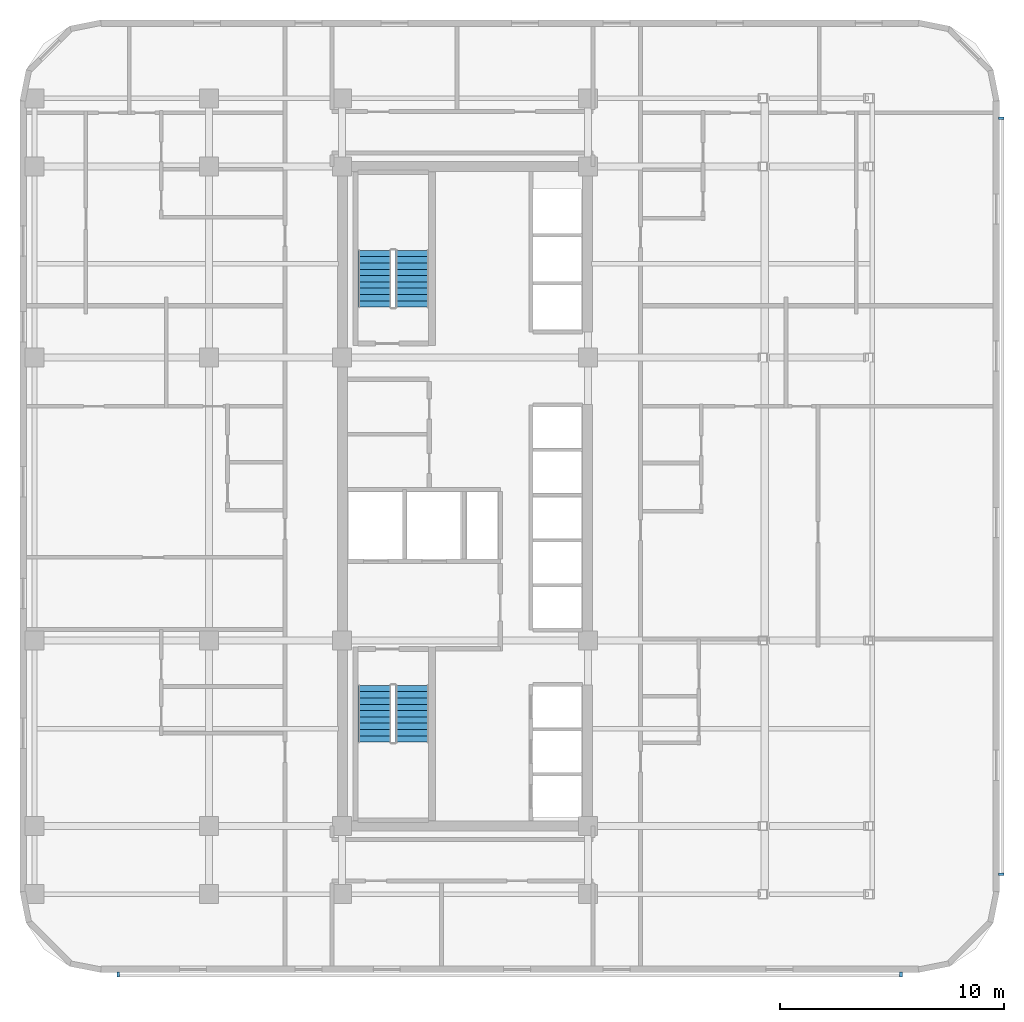
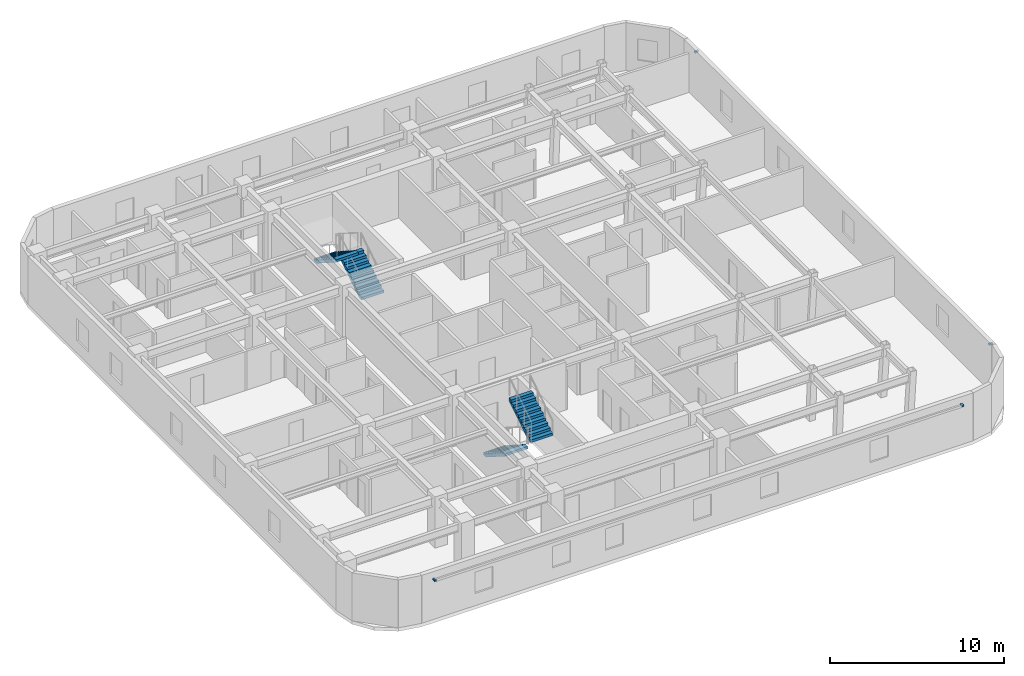
# One storey, part 7 of 11: 4 discrete accessories, 4 stair flights, 2 elements without a shape of their own.
"""IFC4 building model written with IfcOpenShell, lengths in metres."""

import ifcopenshell
import ifcopenshell.guid

model = None  # the IFC model being written
_history = None  # IfcOwnerHistory: only IFC2X3 demands one
_inside = {}  # id of a spatial element -> (the spatial element, [elements in it])
_under = {}  # id of a project, library or spatial element -> (it, [spatial elements below it])
_declared = {}  # id of a project -> (the project, [libraries it declares])
_typed = {}  # id of a type object -> (the type object, [elements of that type])
_made_of = {}  # id of a material, layer set ... -> (it, [elements and type objects made of it])


def new_model(schema):
    """Start an empty IFC model of exactly this schema.

    Asked for "IFC4X3", IfcOpenShell would pick the latest addendum, in which some entities
    have other attributes; the version numbers below select the first issue.
    IFC2X3 requires an IfcOwnerHistory on every rooted entity: one is made here for all.
    """
    global model, _history
    if schema == "IFC4X3":
        model = ifcopenshell.file(schema_version=(4, 3, 0, 0))
    else:
        model = ifcopenshell.file(schema=schema)
    _inside.clear()
    _under.clear()
    _declared.clear()
    _typed.clear()
    _made_of.clear()
    _history = None
    if model.schema == "IFC2X3":
        org = make("IfcOrganization", Name="unknown")
        user = make(
            "IfcPersonAndOrganization",
            ThePerson=make("IfcPerson", FamilyName="unknown"),
            TheOrganization=org,
        )
        app = make(
            "IfcApplication",
            ApplicationDeveloper=org,
            Version="unknown",
            ApplicationFullName="unknown",
            ApplicationIdentifier="unknown",
        )
        _history = make(
            "IfcOwnerHistory",
            OwningUser=user,
            OwningApplication=app,
            ChangeAction="ADDED",
            CreationDate=0,
        )
    return model


def make(cls, **values):
    """One entity of the class cls with the attributes given. An attribute that is None is left unset."""
    return model.create_entity(
        cls, **{name: value for name, value in values.items() if value is not None}
    )


def rooted(cls, **values):
    """An entity with a GlobalId (a new one), such as an element, a storey or a relation."""
    return make(cls, GlobalId=ifcopenshell.guid.new(), OwnerHistory=_history, **values)


def si_unit(unit_type, name, prefix=None):
    """IfcSIUnit, for example si_unit("LENGTHUNIT", "METRE", prefix="MILLI")."""
    return make("IfcSIUnit", UnitType=unit_type, Prefix=prefix, Name=name)


def assignment(units):
    """IfcUnitAssignment: the units of a project."""
    return None if units is None else make("IfcUnitAssignment", Units=units)


def point(xyz):
    """IfcCartesianPoint."""
    return None if xyz is None else make("IfcCartesianPoint", Coordinates=xyz)


def direction(xyz):
    """IfcDirection."""
    return None if xyz is None else make("IfcDirection", DirectionRatios=xyz)


def frame(location, z_axis=None, x_axis=None):
    """IfcAxis2Placement3D, a coordinate frame: its origin and axes. An axis left out is left unset."""
    return make(
        "IfcAxis2Placement3D",
        Location=point(location),
        Axis=direction(z_axis),
        RefDirection=direction(x_axis),
    )


def frame_2d(location, x_axis=None):
    """IfcAxis2Placement2D, a coordinate frame in the plane: its origin and x axis."""
    return make(
        "IfcAxis2Placement2D", Location=point(location), RefDirection=direction(x_axis)
    )


def origin():
    """The frame at (0, 0, 0) with its axes left unset."""
    return frame((0.0, 0.0, 0.0))


def origin_2d():
    """The frame at (0, 0) in the plane with its x axis left unset."""
    return frame_2d((0.0, 0.0))


def place(relative_to, where):
    """IfcLocalPlacement: puts the frame where relative to a parent placement (None: the world)."""
    return make(
        "IfcLocalPlacement", PlacementRelTo=relative_to, RelativePlacement=where
    )


def context(
    kind, dimensions, precision=None, world=None, true_north=None, identifier=None
):
    """IfcGeometricRepresentationContext, for example the 3D "Model" context."""
    return make(
        "IfcGeometricRepresentationContext",
        ContextIdentifier=identifier,
        ContextType=kind,
        CoordinateSpaceDimension=dimensions,
        Precision=precision,
        WorldCoordinateSystem=world,
        TrueNorth=true_north,
    )


def subcontext(parent, identifier, kind, view, scale=None):
    """IfcGeometricRepresentationSubContext, for example "Body" below "Model"."""
    return make(
        "IfcGeometricRepresentationSubContext",
        ContextIdentifier=identifier,
        ContextType=kind,
        ParentContext=parent,
        TargetScale=scale,
        TargetView=view,
    )


def project(units=None, contexts=None):
    """IfcProject with its units and contexts."""
    return rooted(
        "IfcProject",
        Name="project",
        RepresentationContexts=contexts,
        UnitsInContext=assignment(units),
    )


def spatial(cls, under=None, at=None, **own):
    """A site, building, storey or space (cls), placed at a placement, below another one or the project."""
    s = rooted(cls, ObjectPlacement=at, **own)
    if under is not None:
        _under.setdefault(under.id(), (under, []))[1].append(s)
    return s


def polyline(points):
    """IfcPolyline through the points."""
    return make("IfcPolyline", Points=[point(p) for p in points])


def profile(cls, at=None, kind="AREA", **sizes):
    """A parametric profile (cls). Its sizes go by their IFC names, for example OverallWidth=200.0."""
    return make(cls, ProfileType=kind, Position=at, **sizes)


def rectangle(**sizes):
    """IfcRectangleProfileDef."""
    return profile("IfcRectangleProfileDef", **sizes)


def outline(outer, holes=None, kind="AREA"):
    """IfcArbitraryClosedProfileDef: a profile drawn as a closed curve; with holes, ...WithVoids."""
    if holes is None:
        return make("IfcArbitraryClosedProfileDef", ProfileType=kind, OuterCurve=outer)
    return make(
        "IfcArbitraryProfileDefWithVoids",
        ProfileType=kind,
        OuterCurve=outer,
        InnerCurves=holes,
    )


def extrude(swept, where, along, depth):
    """IfcExtrudedAreaSolid: the profile swept, set in the frame where, extruded along a direction by depth."""
    return make(
        "IfcExtrudedAreaSolid",
        SweptArea=swept,
        Position=where,
        ExtrudedDirection=direction(along),
        Depth=depth,
    )


def shape(context_of_items, identifier, shape_type, items):
    """IfcShapeRepresentation: the items that make up one representation, for example the "Body"."""
    return make(
        "IfcShapeRepresentation",
        ContextOfItems=context_of_items,
        RepresentationIdentifier=identifier,
        RepresentationType=shape_type,
        Items=items,
    )


def material(Name=None, Category=None):
    """IfcMaterial."""
    return make("IfcMaterial", Name=Name, Category=Category)


def made_of(thing, what):
    """Note that an element or type object is made of a material, layer set ...; save() writes the relation."""
    if what is not None:
        _made_of.setdefault(what.id(), (what, []))[1].append(thing)
    return thing


def type_object(cls, material=None, **own):
    """A type object (cls), such as IfcWallType, which elements share."""
    return made_of(rooted(cls, **own), material)


def element(
    cls,
    number,
    at=None,
    inside=None,
    cuts=None,
    type_object=None,
    material=None,
    context=None,
    identifier="Body",
    shape_type=None,
    held_by="IfcProductDefinitionShape",
    body=None,
    shapes=None,
    **own,
):
    """One element of the class cls, such as IfcWall. Its Tag is "e" and its number.

    at: its placement. inside: the storey or other place that contains it. cuts: it is an
    opening in that element (IfcRelVoidsElement). A single representation is given by context,
    identifier, shape_type and body (its items); several are given by shapes. held_by: the class
    of the entity that holds the representations. save() writes the other relations.
    """
    e = rooted(cls, Tag="e%d" % number, ObjectPlacement=at, **own)
    if body is not None:
        shapes = [shape(context, identifier, shape_type, body)]
    if shapes is not None:
        e.Representation = make(held_by, Representations=shapes)
    if inside is not None:
        _inside.setdefault(inside.id(), (inside, []))[1].append(e)
    if cuts is not None:
        rooted(
            "IfcRelVoidsElement", RelatingBuildingElement=cuts, RelatedOpeningElement=e
        )
    if type_object is not None:
        _typed.setdefault(type_object.id(), (type_object, []))[1].append(e)
    return made_of(e, material)


def aggregate(whole, parts):
    """IfcRelAggregates: a whole, such as a stair, and the parts it consists of."""
    return rooted("IfcRelAggregates", RelatingObject=whole, RelatedObjects=parts)


def save(model, path):
    """Write the relations noted so far, then the file.

    IfcRelAggregates (storeys below a building ...), IfcRelContainedInSpatialStructure (elements
    in a storey), IfcRelDefinesByType, IfcRelAssociatesMaterial and IfcRelDeclares: one each for
    every whole, place, type object, material and project.
    """
    for whole, parts in _under.values():
        aggregate(whole, parts)
    for where, things in _inside.values():
        rooted(
            "IfcRelContainedInSpatialStructure",
            RelatedElements=things,
            RelatingStructure=where,
        )
    for kind, things in _typed.values():
        rooted("IfcRelDefinesByType", RelatedObjects=things, RelatingType=kind)
    for what, things in _made_of.values():
        rooted("IfcRelAssociatesMaterial", RelatedObjects=things, RelatingMaterial=what)
    for by, libraries in _declared.values():
        rooted("IfcRelDeclares", RelatingContext=by, RelatedDefinitions=libraries)
    model.write(path)


model = new_model("IFC4")

# Units and contexts
model_context = context("Model", 3, precision=1e-05, world=origin(), true_north=direction((0.0, 1.0)))
body_context = subcontext(model_context, "Body", "Model", "MODEL_VIEW")
ifc_project = project(units=[si_unit("LENGTHUNIT", "METRE"), si_unit("AREAUNIT", "SQUARE_METRE"), si_unit("VOLUMEUNIT", "CUBIC_METRE"), si_unit("PLANEANGLEUNIT", "RADIAN"), si_unit("MASSUNIT", "GRAM", prefix="KILO")], contexts=[model_context])

# Site, building, storey
site_placement = place(None, origin())
site = spatial("IfcSite", under=ifc_project, at=site_placement, CompositionType="ELEMENT")
building_placement = place(site_placement, origin())
building = spatial("IfcBuilding", under=site, at=building_placement, Name="Ochreholt Gables", CompositionType="ELEMENT")
storey_placement = place(building_placement, frame((0.0, 0.0, 87.60009765625)))
storey = spatial("IfcBuildingStorey", under=building, at=storey_placement, Name="L22", CompositionType="ELEMENT", Elevation=87.60009765625)

# Stair, stair flights
ifc_material_1 = material(Name="Concrete 40 MPa", Category="concrete")
stair_type_1 = type_object("IfcStairType", Name="STAIR-CORE-ST-1", PredefinedType="HALF_TURN_STAIR", material=ifc_material_1)
stair_1_placement = place(storey_placement, origin())
stair_1 = element("IfcStair", 1, at=stair_1_placement, inside=storey, type_object=stair_type_1, Name="L22 Core Exit Stair 1", PredefinedType="HALF_TURN_STAIR")
stair_flight_type = type_object("IfcStairFlightType", Name="FLIGHT-ST-1480-1800", PredefinedType="STRAIGHT", material=ifc_material_1)
stair_flight_1_placement = place(storey_placement, frame((25.659912109375, 15.5400390625, 0.0), z_axis=(0.0, 0.0, 1.0), x_axis=(0.0, -1.0, 0.0)))
stair_flight_1 = element("IfcStairFlight", 2, at=stair_flight_1_placement, type_object=stair_flight_type, Name="ST-1 flight 1", NumberOfRisers=10, NumberOfTreads=9, PredefinedType="STRAIGHT", RiserHeight=0.18, TreadLength=0.282, context=body_context, shape_type="SweptSolid", body=[
    extrude(outline(polyline([(0.0, 0.0), (0.0, 0.179931640625), (0.281982421875, 0.179931640625), (0.281982421875, 0.360107421875), (0.56396484375, 0.360107421875), (0.56396484375, 0.5400390625), (0.845947265625, 0.5400390625), (0.845947265625, 0.719970703125), (1.1279296875, 0.719970703125), (1.1279296875, 0.89990234375), (1.409912109375, 0.89990234375), (1.409912109375, 1.080078125), (1.69189453125, 1.080078125), (1.69189453125, 1.260009765625), (1.97412109375, 1.260009765625), (1.97412109375, 1.43994140625), (2.256103515625, 1.43994140625), (2.256103515625, 1.6201171875), (2.5380859375, 1.6201171875), (2.5380859375, 1.800048828125), (2.5380859375, 1.442138671875), (0.278564453125, 0.0), (0.0, 0.0)])), frame((0.0, 0.739990234375, 0.0), z_axis=(0.0, -1.0, 0.0), x_axis=(1.0, 0.0, 0.0)), (0.0, 0.0, 1.0), 1.47998046875),
])
stair_flight_2_placement = place(storey_placement, frame((27.340087890625, 13.001953125, 1.7998046875), z_axis=(0.0, 0.0, 1.0), x_axis=(0.0, 1.0, 0.0)))
stair_flight_2 = element("IfcStairFlight", 3, at=stair_flight_2_placement, type_object=stair_flight_type, Name="ST-1 flight 2", NumberOfRisers=10, NumberOfTreads=9, PredefinedType="STRAIGHT", RiserHeight=0.18, TreadLength=0.282, context=body_context, shape_type="SweptSolid", body=[
    extrude(outline(polyline([(0.0, 0.0), (0.0, 0.179931640625), (0.281982421875, 0.179931640625), (0.281982421875, 0.360107421875), (0.56396484375, 0.360107421875), (0.56396484375, 0.5400390625), (0.845947265625, 0.5400390625), (0.845947265625, 0.719970703125), (1.1279296875, 0.719970703125), (1.1279296875, 0.89990234375), (1.409912109375, 0.89990234375), (1.409912109375, 1.080078125), (1.69189453125, 1.080078125), (1.69189453125, 1.260009765625), (1.97412109375, 1.260009765625), (1.97412109375, 1.43994140625), (2.256103515625, 1.43994140625), (2.256103515625, 1.6201171875), (2.5380859375, 1.6201171875), (2.5380859375, 1.800048828125), (2.5380859375, 1.442138671875), (0.278564453125, 0.0), (0.0, 0.0)])), frame((0.0, 0.739990234375, 0.0), z_axis=(0.0, -1.0, 0.0), x_axis=(1.0, 0.0, 0.0)), (0.0, 0.0, 1.0), 1.47998046875),
])
aggregate(stair_1, [stair_flight_1, stair_flight_2])

stair_type_2 = type_object("IfcStairType", Name="STAIR-CORE-ST-2", PredefinedType="HALF_TURN_STAIR", material=ifc_material_1)
stair_2_placement = place(storey_placement, origin())
stair_2 = element("IfcStair", 4, at=stair_2_placement, inside=storey, type_object=stair_type_2, Name="L22 Core Exit Stair 2", PredefinedType="HALF_TURN_STAIR")
stair_flight_3_placement = place(storey_placement, frame((27.340087890625, 32.4599609375, 0.0), z_axis=(0.0, 0.0, 1.0), x_axis=(0.0, 1.0, 0.0)))
stair_flight_3 = element("IfcStairFlight", 5, at=stair_flight_3_placement, type_object=stair_flight_type, Name="ST-2 flight 1", NumberOfRisers=10, NumberOfTreads=9, PredefinedType="STRAIGHT", RiserHeight=0.18, TreadLength=0.282, context=body_context, shape_type="SweptSolid", body=[
    extrude(outline(polyline([(0.0, 0.0), (0.0, 0.179931640625), (0.281982421875, 0.179931640625), (0.281982421875, 0.360107421875), (0.56396484375, 0.360107421875), (0.56396484375, 0.5400390625), (0.845947265625, 0.5400390625), (0.845947265625, 0.719970703125), (1.1279296875, 0.719970703125), (1.1279296875, 0.89990234375), (1.409912109375, 0.89990234375), (1.409912109375, 1.080078125), (1.69189453125, 1.080078125), (1.69189453125, 1.260009765625), (1.97412109375, 1.260009765625), (1.97412109375, 1.43994140625), (2.256103515625, 1.43994140625), (2.256103515625, 1.6201171875), (2.5380859375, 1.6201171875), (2.5380859375, 1.800048828125), (2.5380859375, 1.442138671875), (0.278564453125, 0.0), (0.0, 0.0)])), frame((0.0, 0.739990234375, 0.0), z_axis=(0.0, -1.0, 0.0), x_axis=(1.0, 0.0, 0.0)), (0.0, 0.0, 1.0), 1.47998046875),
])
stair_flight_4_placement = place(storey_placement, frame((25.659912109375, 34.998046875, 1.7998046875), z_axis=(0.0, 0.0, 1.0), x_axis=(0.0, -1.0, 0.0)))
stair_flight_4 = element("IfcStairFlight", 6, at=stair_flight_4_placement, type_object=stair_flight_type, Name="ST-2 flight 2", NumberOfRisers=10, NumberOfTreads=9, PredefinedType="STRAIGHT", RiserHeight=0.18, TreadLength=0.282, context=body_context, shape_type="SweptSolid", body=[
    extrude(outline(polyline([(0.0, 0.0), (0.0, 0.179931640625), (0.281982421875, 0.179931640625), (0.281982421875, 0.360107421875), (0.56396484375, 0.360107421875), (0.56396484375, 0.5400390625), (0.845947265625, 0.5400390625), (0.845947265625, 0.719970703125), (1.1279296875, 0.719970703125), (1.1279296875, 0.89990234375), (1.409912109375, 0.89990234375), (1.409912109375, 1.080078125), (1.69189453125, 1.080078125), (1.69189453125, 1.260009765625), (1.97412109375, 1.260009765625), (1.97412109375, 1.43994140625), (2.256103515625, 1.43994140625), (2.256103515625, 1.6201171875), (2.5380859375, 1.6201171875), (2.5380859375, 1.800048828125), (2.5380859375, 1.442138671875), (0.278564453125, 0.0), (0.0, 0.0)])), frame((0.0, 0.739990234375, 0.0), z_axis=(0.0, -1.0, 0.0), x_axis=(1.0, 0.0, 0.0)), (0.0, 0.0, 1.0), 1.47998046875),
])
aggregate(stair_2, [stair_flight_3, stair_flight_4])

# Discrete accessories
ifc_material_2 = material(Name="Extruded Aluminium Standoff Bracket", Category="aluminium")
discrete_accessory_type = type_object("IfcDiscreteAccessoryType", Name="ACC-BRACKET-AL", PredefinedType="BRACKET", material=ifc_material_2)
for number, where, z_axis, x_axis, name in (
    (7, (14.199951171875, 2.610107421875, 2.77978515625), (0.0, 0.0, 1.0), (1.0, 0.0, 0.0), "L22 Baguette Standoff Bracket S1-1"),
    (8, (49.199951171875, 2.610107421875, 2.77978515625), (0.0, 0.0, 1.0), (1.0, 0.0, 0.0), "L22 Baguette Standoff Bracket S1-2"),
    (9, (53.68994140625, 7.10009765625, 2.77978515625), (0.0, 0.0, 1.0), (0.0, 1.0, 0.0), "L22 Baguette Standoff Bracket E1-1"),
    (10, (53.68994140625, 40.89990234375, 2.77978515625), (0.0, 0.0, 1.0), (0.0, 1.0, 0.0), "L22 Baguette Standoff Bracket E1-2"),
):
    element("IfcDiscreteAccessory", number, at=place(storey_placement, frame(where, z_axis=z_axis, x_axis=x_axis)), inside=storey, type_object=discrete_accessory_type, Name=name, PredefinedType="BRACKET", context=body_context, shape_type="SweptSolid", body=[
        extrude(rectangle(XDim=0.1201171875, YDim=0.239990234375, at=origin_2d()), origin(), (0.0, 0.0, 1.0), 0.1201171875),
    ])

save(model, "model.ifc")
